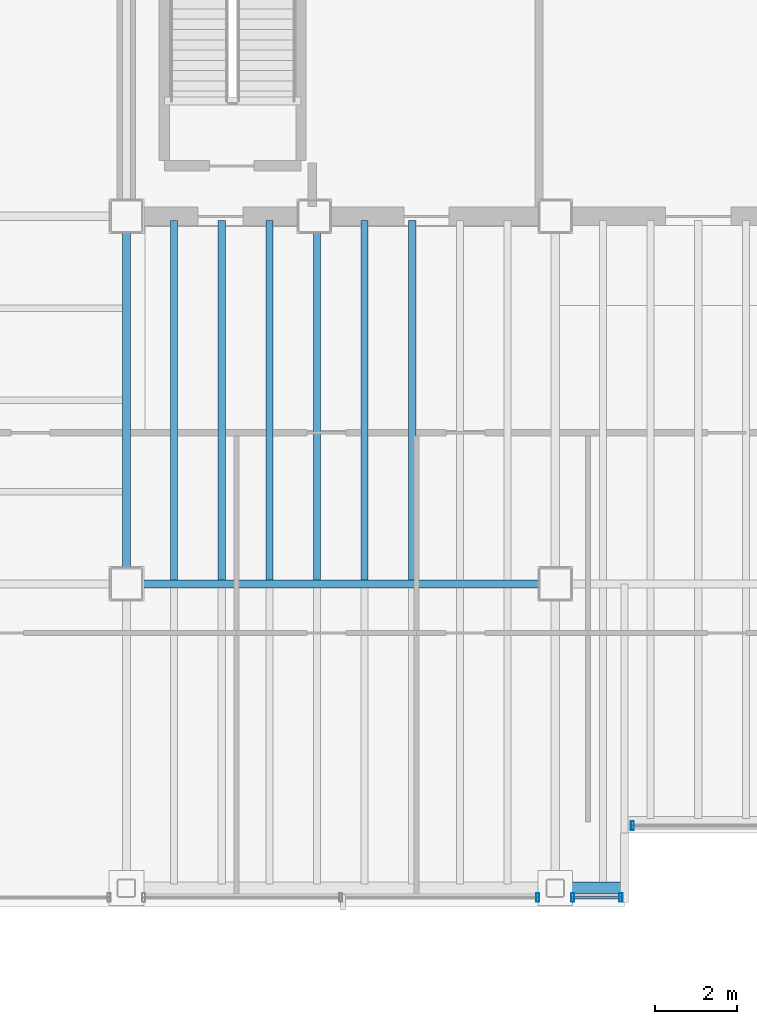
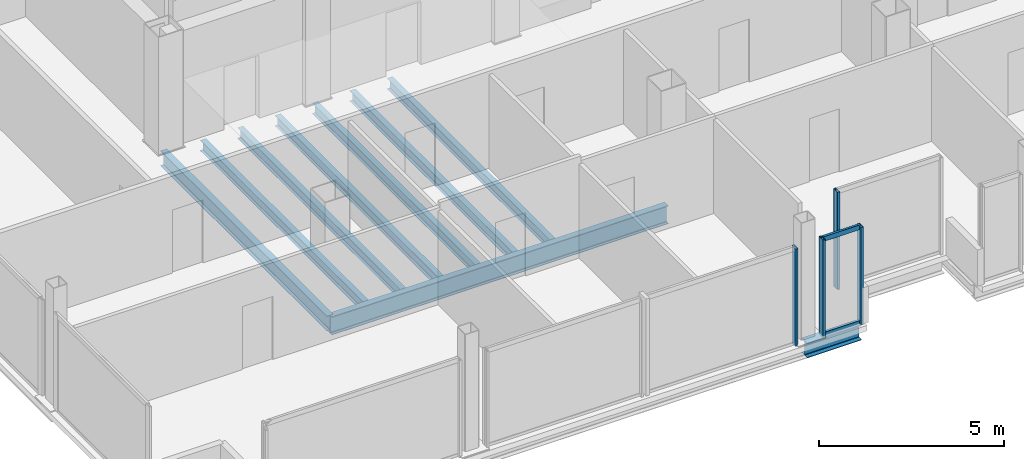
# One storey, part 5 of 17: 9 beams, 6 members, 3 elements without a shape of their own.
"""IFC4 building model written with IfcOpenShell, lengths in metres."""

import ifcopenshell
import ifcopenshell.guid

model = None  # the IFC model being written
_history = None  # IfcOwnerHistory: only IFC2X3 demands one
_inside = {}  # id of a spatial element -> (the spatial element, [elements in it])
_under = {}  # id of a project, library or spatial element -> (it, [spatial elements below it])
_declared = {}  # id of a project -> (the project, [libraries it declares])
_typed = {}  # id of a type object -> (the type object, [elements of that type])
_made_of = {}  # id of a material, layer set ... -> (it, [elements and type objects made of it])


def new_model(schema):
    """Start an empty IFC model of exactly this schema.

    Asked for "IFC4X3", IfcOpenShell would pick the latest addendum, in which some entities
    have other attributes; the version numbers below select the first issue.
    IFC2X3 requires an IfcOwnerHistory on every rooted entity: one is made here for all.
    """
    global model, _history
    if schema == "IFC4X3":
        model = ifcopenshell.file(schema_version=(4, 3, 0, 0))
    else:
        model = ifcopenshell.file(schema=schema)
    _inside.clear()
    _under.clear()
    _declared.clear()
    _typed.clear()
    _made_of.clear()
    _history = None
    if model.schema == "IFC2X3":
        org = make("IfcOrganization", Name="unknown")
        user = make(
            "IfcPersonAndOrganization",
            ThePerson=make("IfcPerson", FamilyName="unknown"),
            TheOrganization=org,
        )
        app = make(
            "IfcApplication",
            ApplicationDeveloper=org,
            Version="unknown",
            ApplicationFullName="unknown",
            ApplicationIdentifier="unknown",
        )
        _history = make(
            "IfcOwnerHistory",
            OwningUser=user,
            OwningApplication=app,
            ChangeAction="ADDED",
            CreationDate=0,
        )
    return model


def make(cls, **values):
    """One entity of the class cls with the attributes given. An attribute that is None is left unset."""
    return model.create_entity(
        cls, **{name: value for name, value in values.items() if value is not None}
    )


def rooted(cls, **values):
    """An entity with a GlobalId (a new one), such as an element, a storey or a relation."""
    return make(cls, GlobalId=ifcopenshell.guid.new(), OwnerHistory=_history, **values)


def si_unit(unit_type, name, prefix=None):
    """IfcSIUnit, for example si_unit("LENGTHUNIT", "METRE", prefix="MILLI")."""
    return make("IfcSIUnit", UnitType=unit_type, Prefix=prefix, Name=name)


def assignment(units):
    """IfcUnitAssignment: the units of a project."""
    return None if units is None else make("IfcUnitAssignment", Units=units)


def point(xyz):
    """IfcCartesianPoint."""
    return None if xyz is None else make("IfcCartesianPoint", Coordinates=xyz)


def direction(xyz):
    """IfcDirection."""
    return None if xyz is None else make("IfcDirection", DirectionRatios=xyz)


def frame(location, z_axis=None, x_axis=None):
    """IfcAxis2Placement3D, a coordinate frame: its origin and axes. An axis left out is left unset."""
    return make(
        "IfcAxis2Placement3D",
        Location=point(location),
        Axis=direction(z_axis),
        RefDirection=direction(x_axis),
    )


def frame_2d(location, x_axis=None):
    """IfcAxis2Placement2D, a coordinate frame in the plane: its origin and x axis."""
    return make(
        "IfcAxis2Placement2D", Location=point(location), RefDirection=direction(x_axis)
    )


def origin():
    """The frame at (0, 0, 0) with its axes left unset."""
    return frame((0.0, 0.0, 0.0))


def origin_2d():
    """The frame at (0, 0) in the plane with its x axis left unset."""
    return frame_2d((0.0, 0.0))


def place(relative_to, where):
    """IfcLocalPlacement: puts the frame where relative to a parent placement (None: the world)."""
    return make(
        "IfcLocalPlacement", PlacementRelTo=relative_to, RelativePlacement=where
    )


def context(
    kind, dimensions, precision=None, world=None, true_north=None, identifier=None
):
    """IfcGeometricRepresentationContext, for example the 3D "Model" context."""
    return make(
        "IfcGeometricRepresentationContext",
        ContextIdentifier=identifier,
        ContextType=kind,
        CoordinateSpaceDimension=dimensions,
        Precision=precision,
        WorldCoordinateSystem=world,
        TrueNorth=true_north,
    )


def subcontext(parent, identifier, kind, view, scale=None):
    """IfcGeometricRepresentationSubContext, for example "Body" below "Model"."""
    return make(
        "IfcGeometricRepresentationSubContext",
        ContextIdentifier=identifier,
        ContextType=kind,
        ParentContext=parent,
        TargetScale=scale,
        TargetView=view,
    )


def project(units=None, contexts=None):
    """IfcProject with its units and contexts."""
    return rooted(
        "IfcProject",
        Name="project",
        RepresentationContexts=contexts,
        UnitsInContext=assignment(units),
    )


def spatial(cls, under=None, at=None, **own):
    """A site, building, storey or space (cls), placed at a placement, below another one or the project."""
    s = rooted(cls, ObjectPlacement=at, **own)
    if under is not None:
        _under.setdefault(under.id(), (under, []))[1].append(s)
    return s


def profile(cls, at=None, kind="AREA", **sizes):
    """A parametric profile (cls). Its sizes go by their IFC names, for example OverallWidth=200.0."""
    return make(cls, ProfileType=kind, Position=at, **sizes)


def hollow_rectangle(**sizes):
    """IfcRectangleHollowProfileDef."""
    return profile("IfcRectangleHollowProfileDef", **sizes)


def i_section(**sizes):
    """IfcIShapeProfileDef."""
    return profile("IfcIShapeProfileDef", **sizes)


def extrude(swept, where, along, depth):
    """IfcExtrudedAreaSolid: the profile swept, set in the frame where, extruded along a direction by depth."""
    return make(
        "IfcExtrudedAreaSolid",
        SweptArea=swept,
        Position=where,
        ExtrudedDirection=direction(along),
        Depth=depth,
    )


def shape(context_of_items, identifier, shape_type, items):
    """IfcShapeRepresentation: the items that make up one representation, for example the "Body"."""
    return make(
        "IfcShapeRepresentation",
        ContextOfItems=context_of_items,
        RepresentationIdentifier=identifier,
        RepresentationType=shape_type,
        Items=items,
    )


def material(Name=None, Category=None):
    """IfcMaterial."""
    return make("IfcMaterial", Name=Name, Category=Category)


def material_profile(
    of_material, cross_section, Name=None, Category=None, Priority=None
):
    """IfcMaterialProfile: a cross section and its material."""
    return make(
        "IfcMaterialProfile",
        Name=Name,
        Material=of_material,
        Profile=cross_section,
        Priority=Priority,
        Category=Category,
    )


def profile_set(profiles, Name=None, composite=None):
    """IfcMaterialProfileSet."""
    return make(
        "IfcMaterialProfileSet",
        Name=Name,
        MaterialProfiles=profiles,
        CompositeProfile=composite,
    )


def made_of(thing, what):
    """Note that an element or type object is made of a material, layer set ...; save() writes the relation."""
    if what is not None:
        _made_of.setdefault(what.id(), (what, []))[1].append(thing)
    return thing


def type_object(cls, material=None, **own):
    """A type object (cls), such as IfcWallType, which elements share."""
    return made_of(rooted(cls, **own), material)


def element(
    cls,
    number,
    at=None,
    inside=None,
    cuts=None,
    type_object=None,
    material=None,
    context=None,
    identifier="Body",
    shape_type=None,
    held_by="IfcProductDefinitionShape",
    body=None,
    shapes=None,
    **own,
):
    """One element of the class cls, such as IfcWall. Its Tag is "e" and its number.

    at: its placement. inside: the storey or other place that contains it. cuts: it is an
    opening in that element (IfcRelVoidsElement). A single representation is given by context,
    identifier, shape_type and body (its items); several are given by shapes. held_by: the class
    of the entity that holds the representations. save() writes the other relations.
    """
    e = rooted(cls, Tag="e%d" % number, ObjectPlacement=at, **own)
    if body is not None:
        shapes = [shape(context, identifier, shape_type, body)]
    if shapes is not None:
        e.Representation = make(held_by, Representations=shapes)
    if inside is not None:
        _inside.setdefault(inside.id(), (inside, []))[1].append(e)
    if cuts is not None:
        rooted(
            "IfcRelVoidsElement", RelatingBuildingElement=cuts, RelatedOpeningElement=e
        )
    if type_object is not None:
        _typed.setdefault(type_object.id(), (type_object, []))[1].append(e)
    return made_of(e, material)


def aggregate(whole, parts):
    """IfcRelAggregates: a whole, such as a stair, and the parts it consists of."""
    return rooted("IfcRelAggregates", RelatingObject=whole, RelatedObjects=parts)


def save(model, path):
    """Write the relations noted so far, then the file.

    IfcRelAggregates (storeys below a building ...), IfcRelContainedInSpatialStructure (elements
    in a storey), IfcRelDefinesByType, IfcRelAssociatesMaterial and IfcRelDeclares: one each for
    every whole, place, type object, material and project.
    """
    for whole, parts in _under.values():
        aggregate(whole, parts)
    for where, things in _inside.values():
        rooted(
            "IfcRelContainedInSpatialStructure",
            RelatedElements=things,
            RelatingStructure=where,
        )
    for kind, things in _typed.values():
        rooted("IfcRelDefinesByType", RelatedObjects=things, RelatingType=kind)
    for what, things in _made_of.values():
        rooted("IfcRelAssociatesMaterial", RelatedObjects=things, RelatingMaterial=what)
    for by, libraries in _declared.values():
        rooted("IfcRelDeclares", RelatingContext=by, RelatedDefinitions=libraries)
    model.write(path)


model = new_model("IFC4")

# Units and contexts
model_context = context("Model", 3, precision=1e-05, world=origin(), true_north=direction((0.0, 1.0)))
body_context = subcontext(model_context, "Body", "Model", "MODEL_VIEW")
ifc_project = project(units=[si_unit("LENGTHUNIT", "METRE"), si_unit("AREAUNIT", "SQUARE_METRE"), si_unit("VOLUMEUNIT", "CUBIC_METRE"), si_unit("PLANEANGLEUNIT", "RADIAN"), si_unit("MASSUNIT", "GRAM", prefix="KILO")], contexts=[model_context])

# Site, building, storey
site_placement = place(None, origin())
site = spatial("IfcSite", under=ifc_project, at=site_placement, CompositionType="ELEMENT")
building_placement = place(site_placement, origin())
building = spatial("IfcBuilding", under=site, at=building_placement, Name="Noeulbin Bourse Tower", CompositionType="ELEMENT")
storey_placement = place(building_placement, frame((0.0, 0.0, 246.199951171875)))
storey = spatial("IfcBuildingStorey", under=building, at=storey_placement, Name="L61", CompositionType="ELEMENT", Elevation=246.199951171875)

# Beams
ifc_material_1 = material(Name="Steel S355", Category="steel")
ifc_material_profile_1 = material_profile(ifc_material_1, i_section(OverallWidth=0.199951171875, OverallDepth=0.5, WebThickness=0.010009765625, FlangeThickness=0.01611328125, FilletRadius=0.02001953125, at=origin_2d()), Name="H-500x200x10x16", Category="LoadBearing")
ifc_profile_set_1 = profile_set([ifc_material_profile_1], Name="Steel S355")
beam_type_1 = type_object("IfcBeamType", Name="BM-GRD-500", PredefinedType="USERDEFINED", material=ifc_profile_set_1)
beam_1_placement = place(storey_placement, frame((13.5, 20.0, -0.429931640625), z_axis=(0.0, 1.0, 0.0), x_axis=(-1.0, 0.0, 0.0)))
element("IfcBeam", 1, at=beam_1_placement, inside=storey, type_object=beam_type_1, Name="Tower Primary Girder NS L61-1.2", ObjectType="GIRDER", PredefinedType="USERDEFINED", context=body_context, shape_type="SweptSolid", body=[
    extrude(i_section(OverallWidth=0.199951171875, OverallDepth=0.5, WebThickness=0.010009765625, FlangeThickness=0.01611328125, FilletRadius=0.02001953125, at=origin_2d()), origin(), (0.0, 0.0, 1.0), 9.0),
])
ifc_material_profile_2 = material_profile(ifc_material_1, i_section(OverallWidth=0.199951171875, OverallDepth=0.60009765625, WebThickness=0.010986328125, FlangeThickness=0.01708984375, FilletRadius=0.02197265625, at=origin_2d()), Name="H-600x200x11x17", Category="LoadBearing")
ifc_profile_set_2 = profile_set([ifc_material_profile_2], Name="Steel S355")
beam_type_2 = type_object("IfcBeamType", Name="BM-GRD-600", PredefinedType="USERDEFINED", material=ifc_profile_set_2)
beam_2_placement = place(storey_placement, frame((13.5, 20.0, -0.47998046875), z_axis=(1.0, 0.0, 0.0), x_axis=(0.0, 1.0, 0.0)))
element("IfcBeam", 2, at=beam_2_placement, inside=storey, type_object=beam_type_2, Name="Tower Primary Girder EW L61-1.2", ObjectType="GIRDER", PredefinedType="USERDEFINED", context=body_context, shape_type="SweptSolid", body=[
    extrude(i_section(OverallWidth=0.199951171875, OverallDepth=0.60009765625, WebThickness=0.010986328125, FlangeThickness=0.01708984375, FilletRadius=0.02197265625, at=origin_2d()), origin(), (0.0, 0.0, 1.0), 10.5),
])
ifc_material_profile_3 = material_profile(ifc_material_1, i_section(OverallWidth=0.175048828125, OverallDepth=0.35009765625, WebThickness=0.007080078125, FlangeThickness=0.010986328125, FilletRadius=0.013916015625, at=origin_2d()), Name="H-350x175x7x11", Category="LoadBearing")
ifc_profile_set_3 = profile_set([ifc_material_profile_3], Name="Steel S355")
beam_type_3 = type_object("IfcBeamType", Name="BM-JST-350", PredefinedType="JOIST", material=ifc_profile_set_3)
for number, where, z_axis, x_axis, name in (
    (3, (14.666748046875, 20.10009765625, -0.35498046875), (0.0, 1.0, 0.0), (-1.0, 0.0, 0.0), "Tower Composite Joist L61-02"),
    (4, (15.833251953125, 20.10009765625, -0.35498046875), (0.0, 1.0, 0.0), (-1.0, 0.0, 0.0), "Tower Composite Joist L61-04"),
    (5, (17.0, 20.10009765625, -0.35498046875), (0.0, 1.0, 0.0), (-1.0, 0.0, 0.0), "Tower Composite Joist L61-06"),
    (6, (18.166748046875, 20.10009765625, -0.35498046875), (0.0, 1.0, 0.0), (-1.0, 0.0, 0.0), "Tower Composite Joist L61-08"),
    (7, (19.333251953125, 20.10009765625, -0.35498046875), (0.0, 1.0, 0.0), (-1.0, 0.0, 0.0), "Tower Composite Joist L61-10"),
    (8, (20.5, 20.10009765625, -0.35498046875), (0.0, 1.0, 0.0), (-1.0, 0.0, 0.0), "Tower Composite Joist L61-12"),
):
    element("IfcBeam", number, at=place(storey_placement, frame(where, z_axis=z_axis, x_axis=x_axis)), inside=storey, type_object=beam_type_3, Name=name, PredefinedType="JOIST", context=body_context, shape_type="SweptSolid", body=[
        extrude(i_section(OverallWidth=0.175048828125, OverallDepth=0.35009765625, WebThickness=0.007080078125, FlangeThickness=0.010986328125, FilletRadius=0.013916015625, at=origin_2d()), origin(), (0.0, 0.0, 1.0), 8.7998046875),
    ])
ifc_material_profile_4 = material_profile(ifc_material_1, i_section(OverallWidth=0.300048828125, OverallDepth=0.488037109375, WebThickness=0.010986328125, FlangeThickness=0.01806640625, FilletRadius=0.02197265625, at=origin_2d()), Name="H-488x300x11x18", Category="LoadBearing")
ifc_profile_set_4 = profile_set([ifc_material_profile_4], Name="Steel S355")
beam_type_4 = type_object("IfcBeamType", Name="BM-SPN-488", PredefinedType="SPANDREL", material=ifc_profile_set_4)
beam_3_placement = place(storey_placement, frame((24.0, 12.550048828125, -0.424072265625), z_axis=(1.0, 0.0, 0.0), x_axis=(0.0, 1.0, 0.0)))
element("IfcBeam", 9, at=beam_3_placement, inside=storey, type_object=beam_type_4, Name="South Spandrel L61-2A", PredefinedType="SPANDREL", context=body_context, shape_type="SweptSolid", body=[
    extrude(i_section(OverallWidth=0.300048828125, OverallDepth=0.488037109375, WebThickness=0.010986328125, FlangeThickness=0.01806640625, FilletRadius=0.02197265625, at=origin_2d()), origin(), (0.0, 0.0, 1.0), 1.699951171875),
])

# Curtain wall, member
ifc_material_2 = material(Name="High-Selectivity Low-Iron Glazing", Category="glass")
curtain_wall_type = type_object("IfcCurtainWallType", Name="CW-SYS-4", PredefinedType="NOTDEFINED", material=ifc_material_2)
curtain_wall_1_placement = place(storey_placement, origin())
curtain_wall_1 = element("IfcCurtainWall", 10, at=curtain_wall_1_placement, inside=storey, type_object=curtain_wall_type, Name="Unitised Curtain Wall CW-L61-SREC", PredefinedType="NOTDEFINED")
ifc_material_3 = material(Name="Anodised Aluminium 6063-T6", Category="aluminium")
ifc_material_profile_5 = material_profile(ifc_material_3, hollow_rectangle(XDim=0.074951171875, YDim=0.219970703125, WallThickness=0.0048828125, InnerFilletRadius=0.00244140625, OuterFilletRadius=0.0048828125, at=origin_2d()), Name="ALU-MULL-75x220x5", Category="LoadBearing")
ifc_profile_set_5 = profile_set([ifc_material_profile_5], Name="Anodised Aluminium 6063-T6")
member_type_1 = type_object("IfcMemberType", Name="CW-SYS-4-MUL", PredefinedType="MULLION", material=ifc_profile_set_5)
member_1_placement = place(storey_placement, frame((25.889892578125, 14.080078125, -0.02001953125), z_axis=(0.0, 0.0, 1.0), x_axis=(1.0, 0.0, 0.0)))
member_1 = element("IfcMember", 11, at=member_1_placement, type_object=member_type_1, Name="Curtain Wall Mullion CW-L61-SREC-M00", PredefinedType="MULLION", context=body_context, shape_type="SweptSolid", body=[
    extrude(hollow_rectangle(XDim=0.074951171875, YDim=0.219970703125, WallThickness=0.0048828125, InnerFilletRadius=0.00244140625, OuterFilletRadius=0.0048828125, at=origin_2d()), origin(), (0.0, 0.0, 1.0), 3.219970703125),
])
aggregate(curtain_wall_1, [member_1])

curtain_wall_2_placement = place(storey_placement, origin())
curtain_wall_2 = element("IfcCurtainWall", 12, at=curtain_wall_2_placement, inside=storey, type_object=curtain_wall_type, Name="Unitised Curtain Wall CW-L61-S1-S2", PredefinedType="NOTDEFINED")
member_2_placement = place(storey_placement, frame((23.574951171875, 12.320068359375, -0.02001953125), z_axis=(0.0, 0.0, 1.0), x_axis=(1.0, 0.0, 0.0)))
member_2 = element("IfcMember", 13, at=member_2_placement, type_object=member_type_1, Name="Curtain Wall Mullion CW-L61-S1-S2-M02", PredefinedType="MULLION", context=body_context, shape_type="SweptSolid", body=[
    extrude(hollow_rectangle(XDim=0.074951171875, YDim=0.219970703125, WallThickness=0.0048828125, InnerFilletRadius=0.00244140625, OuterFilletRadius=0.0048828125, at=origin_2d()), origin(), (0.0, 0.0, 1.0), 3.219970703125),
])
aggregate(curtain_wall_2, [member_2])

# Curtain wall, members
curtain_wall_3_placement = place(storey_placement, origin())
curtain_wall_3 = element("IfcCurtainWall", 14, at=curtain_wall_3_placement, inside=storey, type_object=curtain_wall_type, Name="Unitised Curtain Wall CW-L61-S1-S3", PredefinedType="NOTDEFINED")
member_3_placement = place(storey_placement, frame((24.425048828125, 12.320068359375, -0.02001953125), z_axis=(0.0, 0.0, 1.0), x_axis=(1.0, 0.0, 0.0)))
member_3 = element("IfcMember", 15, at=member_3_placement, type_object=member_type_1, Name="Curtain Wall Mullion CW-L61-S1-S3-M00", PredefinedType="MULLION", context=body_context, shape_type="SweptSolid", body=[
    extrude(hollow_rectangle(XDim=0.074951171875, YDim=0.219970703125, WallThickness=0.0048828125, InnerFilletRadius=0.00244140625, OuterFilletRadius=0.0048828125, at=origin_2d()), origin(), (0.0, 0.0, 1.0), 3.219970703125),
])
member_4_placement = place(storey_placement, frame((25.610107421875, 12.320068359375, -0.02001953125), z_axis=(0.0, 0.0, 1.0), x_axis=(1.0, 0.0, 0.0)))
member_4 = element("IfcMember", 16, at=member_4_placement, type_object=member_type_1, Name="Curtain Wall Mullion CW-L61-S1-S3-M01", PredefinedType="MULLION", context=body_context, shape_type="SweptSolid", body=[
    extrude(hollow_rectangle(XDim=0.074951171875, YDim=0.219970703125, WallThickness=0.0048828125, InnerFilletRadius=0.00244140625, OuterFilletRadius=0.0048828125, at=origin_2d()), origin(), (0.0, 0.0, 1.0), 3.219970703125),
])
ifc_material_profile_6 = material_profile(ifc_material_3, hollow_rectangle(XDim=0.074951171875, YDim=0.159912109375, WallThickness=0.0048828125, InnerFilletRadius=0.00244140625, OuterFilletRadius=0.0048828125, at=origin_2d()), Name="ALU-TRAN-75x160x5", Category="LoadBearing")
ifc_profile_set_6 = profile_set([ifc_material_profile_6], Name="Anodised Aluminium 6063-T6")
member_type_2 = type_object("IfcMemberType", Name="CW-SYS-4-TRN", PredefinedType="USERDEFINED", material=ifc_profile_set_6)
member_5_placement = place(storey_placement, frame((24.43505859375, 12.320068359375, 0.010009765625), z_axis=(1.0, 0.0, 0.0), x_axis=(0.0, 1.0, 0.0)))
member_5 = element("IfcMember", 17, at=member_5_placement, type_object=member_type_2, Name="Curtain Wall Transom CW-L61-S1-S3-T00", ObjectType="TRANSOM", PredefinedType="USERDEFINED", context=body_context, shape_type="SweptSolid", body=[
    extrude(hollow_rectangle(XDim=0.074951171875, YDim=0.159912109375, WallThickness=0.0048828125, InnerFilletRadius=0.00244140625, OuterFilletRadius=0.0048828125, at=origin_2d()), origin(), (0.0, 0.0, 1.0), 1.1650390625),
])
member_6_placement = place(storey_placement, frame((24.43505859375, 12.320068359375, 3.170166015625), z_axis=(1.0, 0.0, 0.0), x_axis=(0.0, 1.0, 0.0)))
member_6 = element("IfcMember", 18, at=member_6_placement, type_object=member_type_2, Name="Curtain Wall Transom CW-L61-S1-S3-T01", ObjectType="TRANSOM", PredefinedType="USERDEFINED", context=body_context, shape_type="SweptSolid", body=[
    extrude(hollow_rectangle(XDim=0.074951171875, YDim=0.159912109375, WallThickness=0.0048828125, InnerFilletRadius=0.00244140625, OuterFilletRadius=0.0048828125, at=origin_2d()), origin(), (0.0, 0.0, 1.0), 1.1650390625),
])
aggregate(curtain_wall_3, [member_3, member_4, member_5, member_6])

save(model, "model.ifc")
